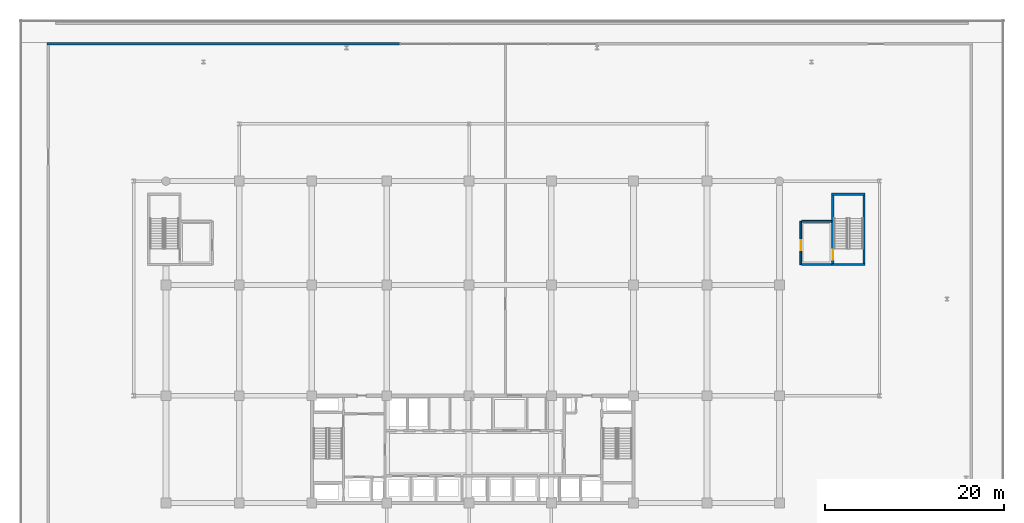
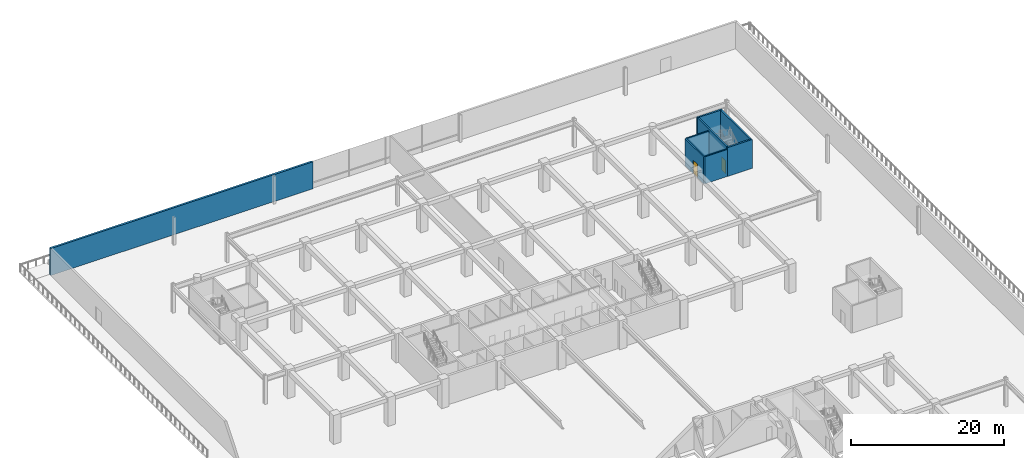
# One storey, part 28 of 45: 8 walls, 2 doors, 2 openings.
"""IFC4 building model written with IfcOpenShell, lengths in metres."""

from ifc_helpers import new_model, si_unit, direction, frame, frame_2d, origin, place, context, subcontext, project, spatial, rectangle, extrude, material, layer, layer_set, type_object, element, fill, save


model = new_model("IFC4")

# Units and contexts
model_context = context("Model", 3, precision=1e-05, world=origin(), true_north=direction((0.0, 1.0)))
body_context = subcontext(model_context, "Body", "Model", "MODEL_VIEW")
ifc_project = project(units=[si_unit("LENGTHUNIT", "METRE"), si_unit("AREAUNIT", "SQUARE_METRE"), si_unit("VOLUMEUNIT", "CUBIC_METRE"), si_unit("PLANEANGLEUNIT", "RADIAN"), si_unit("MASSUNIT", "GRAM", prefix="KILO")], contexts=[model_context])

# Site, building, storey
site_placement = place(None, origin())
site = spatial("IfcSite", under=ifc_project, at=site_placement, CompositionType="ELEMENT")
building_placement = place(site_placement, origin())
building = spatial("IfcBuilding", under=site, at=building_placement, Name="Korimba Cascade Residences", CompositionType="ELEMENT")
storey_placement = place(building_placement, frame((0.0, 0.0, 5.39990234375)))
storey = spatial("IfcBuildingStorey", under=building, at=storey_placement, Name="L01", CompositionType="ELEMENT", Elevation=5.39990234375)

# Wall
ifc_material_1 = material(Name="Precast concrete C40/50", Category="concrete")
ifc_layer_1 = layer(ifc_material_1, 0.300048828125)
ifc_layer_set_1 = layer_set([ifc_layer_1], Name="Precast concrete C40/50")
wall_type_1 = type_object("IfcWallType", Name="EW-STONE-300", PredefinedType="STANDARD", material=ifc_layer_set_1)
wall_1_placement = place(storey_placement, frame((86.0, 106.550048828125, 0.0), z_axis=(0.0, 0.0, 1.0), x_axis=(-1.0, 0.0, 0.0)))
element("IfcWall", 1, at=wall_1_placement, inside=storey, type_object=wall_type_1, Name="L01 North-West Podium Wall", PredefinedType="STANDARD", context=body_context, shape_type="SweptSolid", body=[
    extrude(rectangle(XDim=39.5, YDim=0.300048828125, at=frame_2d((19.75, 0.0))), origin(), (0.0, 0.0, 1.0), 4.300048828125),
])

# Wall, opening, door
ifc_material_2 = material(Name="Concrete C40/50", Category="concrete")
ifc_layer_2 = layer(ifc_material_2, 0.199951171875)
ifc_layer_set_2 = layer_set([ifc_layer_2], Name="Concrete C40/50")
wall_type_2 = type_object("IfcWallType", Name="WAL-PART-200", PredefinedType="PARTITIONING", material=ifc_layer_set_2)
wall_2_placement = place(storey_placement, frame((130.800048828125, 81.875, 0.0), z_axis=(0.0, 0.0, 1.0), x_axis=(0.0, 1.0, 0.0)))
wall_2 = element("IfcWall", 2, at=wall_2_placement, inside=storey, type_object=wall_type_2, Name="L01 Partition Wall CW-L01-PL4W", PredefinedType="PARTITIONING", context=body_context, shape_type="SweptSolid", body=[
    extrude(rectangle(XDim=4.824951171875, YDim=0.199951171875, at=frame_2d((2.41259765625, 0.0))), origin(), (0.0, 0.0, 1.0), 4.300048828125),
])
opening_1_placement = place(wall_2_placement, frame((1.60009765625, 0.0, 0.0)))
opening_1 = element("IfcOpeningElement", 3, at=opening_1_placement, cuts=wall_2, Name="Opening D-FD6", PredefinedType="OPENING", context=body_context, shape_type="SweptSolid", body=[
    extrude(rectangle(XDim=1.10009765625, YDim=2.14990234375, at=frame_2d((0.550048828125, 1.074951171875))), frame((0.0, 0.10986328125, 0.0), z_axis=(0.0, -1.0, 0.0), x_axis=(1.0, 0.0, 0.0)), (0.0, 0.0, 1.0), 0.219970703125),
])
ifc_material_3 = material(Name="Fire-Rated Timber Stair Lobby Door", Category="wood")
door_type_1 = type_object("IfcDoorType", Name="DR-FD90-1100", OperationType="NOTDEFINED", PredefinedType="DOOR", material=ifc_material_3)
door_1_placement = place(opening_1_placement, origin())
door_1 = element("IfcDoor", 4, at=door_1_placement, inside=storey, type_object=door_type_1, Name="L01 North-East Stair Vestibule Door", OperationType="SINGLE_SWING_LEFT", OverallHeight=2.14990234375, OverallWidth=1.10009765625, PredefinedType="DOOR", context=body_context, shape_type="SweptSolid", body=[
    extrude(rectangle(XDim=1.10009765625, YDim=2.14990234375, at=frame_2d((0.550048828125, 1.074951171875))), frame((0.0, 0.02490234375, 0.0), z_axis=(0.0, -1.0, 0.0), x_axis=(1.0, 0.0, 0.0)), (0.0, 0.0, 1.0), 0.050048828125),
])
fill(opening_1, door_1)

# Walls
for number, where, z_axis, x_axis, name in (
    (5, (130.89990234375, 81.875, 0.0), (0.0, 0.0, 1.0), (1.0, 0.0, 0.0), "L01 Partition Wall CW-L01-PL4S"),
    (6, (130.89990234375, 86.699951171875, 0.0), (0.0, 0.0, 1.0), (1.0, 0.0, 0.0), "L01 Partition Wall CW-L01-PL4N"),
):
    element("IfcWall", number, at=place(storey_placement, frame(where, z_axis=z_axis, x_axis=x_axis)), inside=storey, type_object=wall_type_2, Name=name, PredefinedType="PARTITIONING", context=body_context, shape_type="SweptSolid", body=[
        extrude(rectangle(XDim=3.35009765625, YDim=0.199951171875, at=frame_2d((1.675048828125, 0.0))), origin(), (0.0, 0.0, 1.0), 4.300048828125),
    ])

# Wall, opening, door
ifc_material_4 = material(Name="Concrete C50/60", Category="concrete")
ifc_layer_3 = layer(ifc_material_4, 0.25)
ifc_layer_set_3 = layer_set([ifc_layer_3], Name="Concrete C50/60")
wall_type_3 = type_object("IfcWallType", Name="WAL-SHAFT-250", PredefinedType="SHEAR", material=ifc_layer_set_3)
wall_3_placement = place(storey_placement, frame((134.375, 82.0, 0.0), z_axis=(0.0, 0.0, 1.0), x_axis=(0.0, 1.0, 0.0)))
wall_3 = element("IfcWall", 7, at=wall_3_placement, inside=storey, type_object=wall_type_3, Name="L01 Core Shear Wall CW-L01-STP4W", PredefinedType="SHEAR", context=body_context, shape_type="SweptSolid", body=[
    extrude(rectangle(XDim=7.60009765625, YDim=0.25, at=frame_2d((3.800048828125, 0.0))), origin(), (0.0, 0.0, 1.0), 4.60009765625),
])
opening_2_placement = place(wall_3_placement, frame((0.39990234375, 0.0, 0.0)))
opening_2 = element("IfcOpeningElement", 8, at=opening_2_placement, cuts=wall_3, Name="Opening D-FD1", PredefinedType="OPENING", context=body_context, shape_type="SweptSolid", body=[
    extrude(rectangle(XDim=1.10009765625, YDim=2.10009765625, at=frame_2d((0.550048828125, 1.050048828125))), frame((0.0, 0.135009765625, 0.0), z_axis=(0.0, -1.0, 0.0), x_axis=(1.0, 0.0, 0.0)), (0.0, 0.0, 1.0), 0.27001953125),
])
ifc_material_5 = material(Name="Fire-Rated Steel Core Door", Category="steel")
door_type_2 = type_object("IfcDoorType", Name="DR-FD120-1100", OperationType="NOTDEFINED", PredefinedType="DOOR", material=ifc_material_5)
door_2_placement = place(opening_2_placement, origin())
door_2 = element("IfcDoor", 9, at=door_2_placement, inside=storey, type_object=door_type_2, Name="L01 Podium Stair ST-P4 Door", OperationType="SINGLE_SWING_RIGHT", OverallHeight=2.10009765625, OverallWidth=1.10009765625, PredefinedType="DOOR", context=body_context, shape_type="SweptSolid", body=[
    extrude(rectangle(XDim=1.10009765625, YDim=2.10009765625, at=frame_2d((0.550048828125, 1.050048828125))), frame((0.0, 0.02490234375, 0.0), z_axis=(0.0, -1.0, 0.0), x_axis=(1.0, 0.0, 0.0)), (0.0, 0.0, 1.0), 0.050048828125),
])
fill(opening_2, door_2)

# Walls
wall_4_placement = place(storey_placement, frame((137.864990234375, 82.0, 0.0), z_axis=(0.0, 0.0, 1.0), x_axis=(0.0, 1.0, 0.0)))
element("IfcWall", 10, at=wall_4_placement, inside=storey, type_object=wall_type_3, Name="L01 Core Shear Wall CW-L01-STP4E", PredefinedType="SHEAR", context=body_context, shape_type="SweptSolid", body=[
    extrude(rectangle(XDim=7.60009765625, YDim=0.25, at=frame_2d((3.800048828125, 0.0))), origin(), (0.0, 0.0, 1.0), 4.60009765625),
])
for number, where, z_axis, x_axis, name in (
    (11, (134.25, 81.875, 0.0), (0.0, 0.0, 1.0), (1.0, 0.0, 0.0), "L01 Core Shear Wall CW-L01-STP4S"),
    (12, (134.25, 89.72509765625, 0.0), (0.0, 0.0, 1.0), (1.0, 0.0, 0.0), "L01 Core Shear Wall CW-L01-STP4N"),
):
    element("IfcWall", number, at=place(storey_placement, frame(where, z_axis=z_axis, x_axis=x_axis)), inside=storey, type_object=wall_type_3, Name=name, PredefinedType="SHEAR", context=body_context, shape_type="SweptSolid", body=[
        extrude(rectangle(XDim=3.739990234375, YDim=0.25, at=frame_2d((1.8701171875, 0.0))), origin(), (0.0, 0.0, 1.0), 4.60009765625),
    ])

save(model, "model.ifc")
